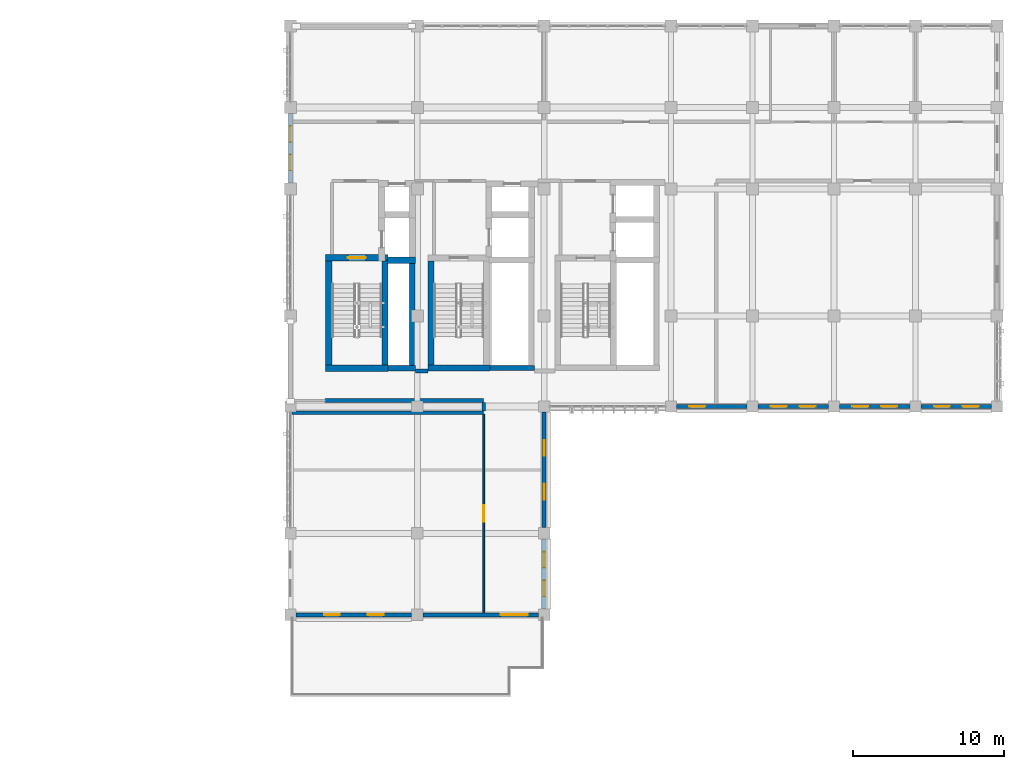
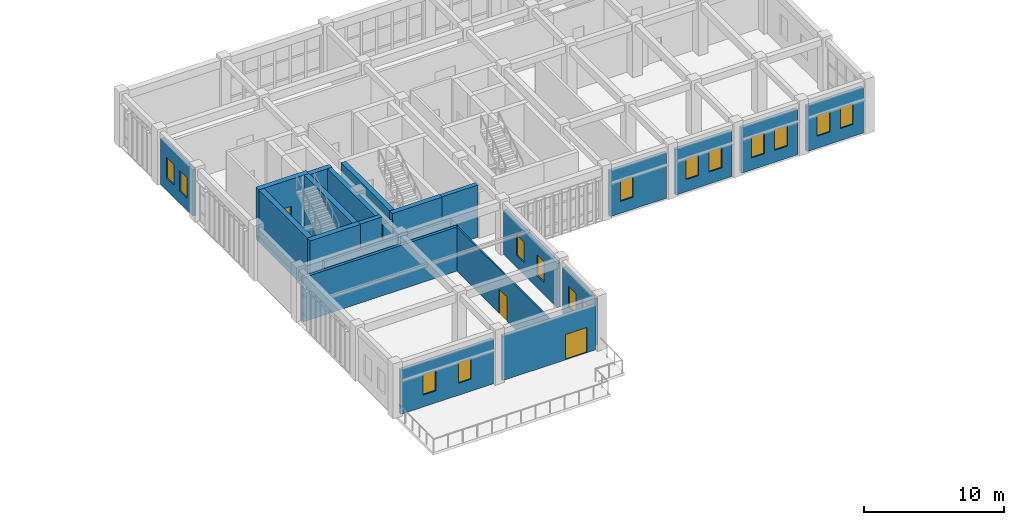
# One storey, part 71 of 76: 24 walls, 15 windows, 3 doors, 18 openings.
"""IFC4 building model written with IfcOpenShell, lengths in metres."""

import ifcopenshell
import ifcopenshell.guid

model = None  # the IFC model being written
_history = None  # IfcOwnerHistory: only IFC2X3 demands one
_inside = {}  # id of a spatial element -> (the spatial element, [elements in it])
_under = {}  # id of a project, library or spatial element -> (it, [spatial elements below it])
_declared = {}  # id of a project -> (the project, [libraries it declares])
_typed = {}  # id of a type object -> (the type object, [elements of that type])
_made_of = {}  # id of a material, layer set ... -> (it, [elements and type objects made of it])


def new_model(schema):
    """Start an empty IFC model of exactly this schema.

    Asked for "IFC4X3", IfcOpenShell would pick the latest addendum, in which some entities
    have other attributes; the version numbers below select the first issue.
    IFC2X3 requires an IfcOwnerHistory on every rooted entity: one is made here for all.
    """
    global model, _history
    if schema == "IFC4X3":
        model = ifcopenshell.file(schema_version=(4, 3, 0, 0))
    else:
        model = ifcopenshell.file(schema=schema)
    _inside.clear()
    _under.clear()
    _declared.clear()
    _typed.clear()
    _made_of.clear()
    _history = None
    if model.schema == "IFC2X3":
        org = make("IfcOrganization", Name="unknown")
        user = make(
            "IfcPersonAndOrganization",
            ThePerson=make("IfcPerson", FamilyName="unknown"),
            TheOrganization=org,
        )
        app = make(
            "IfcApplication",
            ApplicationDeveloper=org,
            Version="unknown",
            ApplicationFullName="unknown",
            ApplicationIdentifier="unknown",
        )
        _history = make(
            "IfcOwnerHistory",
            OwningUser=user,
            OwningApplication=app,
            ChangeAction="ADDED",
            CreationDate=0,
        )
    return model


def make(cls, **values):
    """One entity of the class cls with the attributes given. An attribute that is None is left unset."""
    return model.create_entity(
        cls, **{name: value for name, value in values.items() if value is not None}
    )


def rooted(cls, **values):
    """An entity with a GlobalId (a new one), such as an element, a storey or a relation."""
    return make(cls, GlobalId=ifcopenshell.guid.new(), OwnerHistory=_history, **values)


def si_unit(unit_type, name, prefix=None):
    """IfcSIUnit, for example si_unit("LENGTHUNIT", "METRE", prefix="MILLI")."""
    return make("IfcSIUnit", UnitType=unit_type, Prefix=prefix, Name=name)


def assignment(units):
    """IfcUnitAssignment: the units of a project."""
    return None if units is None else make("IfcUnitAssignment", Units=units)


def point(xyz):
    """IfcCartesianPoint."""
    return None if xyz is None else make("IfcCartesianPoint", Coordinates=xyz)


def direction(xyz):
    """IfcDirection."""
    return None if xyz is None else make("IfcDirection", DirectionRatios=xyz)


def frame(location, z_axis=None, x_axis=None):
    """IfcAxis2Placement3D, a coordinate frame: its origin and axes. An axis left out is left unset."""
    return make(
        "IfcAxis2Placement3D",
        Location=point(location),
        Axis=direction(z_axis),
        RefDirection=direction(x_axis),
    )


def frame_2d(location, x_axis=None):
    """IfcAxis2Placement2D, a coordinate frame in the plane: its origin and x axis."""
    return make(
        "IfcAxis2Placement2D", Location=point(location), RefDirection=direction(x_axis)
    )


def origin():
    """The frame at (0, 0, 0) with its axes left unset."""
    return frame((0.0, 0.0, 0.0))


def place(relative_to, where):
    """IfcLocalPlacement: puts the frame where relative to a parent placement (None: the world)."""
    return make(
        "IfcLocalPlacement", PlacementRelTo=relative_to, RelativePlacement=where
    )


def context(
    kind, dimensions, precision=None, world=None, true_north=None, identifier=None
):
    """IfcGeometricRepresentationContext, for example the 3D "Model" context."""
    return make(
        "IfcGeometricRepresentationContext",
        ContextIdentifier=identifier,
        ContextType=kind,
        CoordinateSpaceDimension=dimensions,
        Precision=precision,
        WorldCoordinateSystem=world,
        TrueNorth=true_north,
    )


def subcontext(parent, identifier, kind, view, scale=None):
    """IfcGeometricRepresentationSubContext, for example "Body" below "Model"."""
    return make(
        "IfcGeometricRepresentationSubContext",
        ContextIdentifier=identifier,
        ContextType=kind,
        ParentContext=parent,
        TargetScale=scale,
        TargetView=view,
    )


def project(units=None, contexts=None):
    """IfcProject with its units and contexts."""
    return rooted(
        "IfcProject",
        Name="project",
        RepresentationContexts=contexts,
        UnitsInContext=assignment(units),
    )


def spatial(cls, under=None, at=None, **own):
    """A site, building, storey or space (cls), placed at a placement, below another one or the project."""
    s = rooted(cls, ObjectPlacement=at, **own)
    if under is not None:
        _under.setdefault(under.id(), (under, []))[1].append(s)
    return s


def profile(cls, at=None, kind="AREA", **sizes):
    """A parametric profile (cls). Its sizes go by their IFC names, for example OverallWidth=200.0."""
    return make(cls, ProfileType=kind, Position=at, **sizes)


def rectangle(**sizes):
    """IfcRectangleProfileDef."""
    return profile("IfcRectangleProfileDef", **sizes)


def extrude(swept, where, along, depth):
    """IfcExtrudedAreaSolid: the profile swept, set in the frame where, extruded along a direction by depth."""
    return make(
        "IfcExtrudedAreaSolid",
        SweptArea=swept,
        Position=where,
        ExtrudedDirection=direction(along),
        Depth=depth,
    )


def shape(context_of_items, identifier, shape_type, items):
    """IfcShapeRepresentation: the items that make up one representation, for example the "Body"."""
    return make(
        "IfcShapeRepresentation",
        ContextOfItems=context_of_items,
        RepresentationIdentifier=identifier,
        RepresentationType=shape_type,
        Items=items,
    )


def material(Name=None, Category=None):
    """IfcMaterial."""
    return make("IfcMaterial", Name=Name, Category=Category)


def layer(
    of_material, thickness, ventilated=None, Name=None, Category=None, Priority=None
):
    """IfcMaterialLayer: one layer of a wall or slab, of a material (None: an air gap)."""
    return make(
        "IfcMaterialLayer",
        Material=of_material,
        LayerThickness=thickness,
        IsVentilated=ventilated,
        Name=Name,
        Category=Category,
        Priority=Priority,
    )


def layer_set(layers, Name=None):
    """IfcMaterialLayerSet."""
    return make("IfcMaterialLayerSet", MaterialLayers=layers, LayerSetName=Name)


def made_of(thing, what):
    """Note that an element or type object is made of a material, layer set ...; save() writes the relation."""
    if what is not None:
        _made_of.setdefault(what.id(), (what, []))[1].append(thing)
    return thing


def type_object(cls, material=None, **own):
    """A type object (cls), such as IfcWallType, which elements share."""
    return made_of(rooted(cls, **own), material)


def element(
    cls,
    number,
    at=None,
    inside=None,
    cuts=None,
    type_object=None,
    material=None,
    context=None,
    identifier="Body",
    shape_type=None,
    held_by="IfcProductDefinitionShape",
    body=None,
    shapes=None,
    **own,
):
    """One element of the class cls, such as IfcWall. Its Tag is "e" and its number.

    at: its placement. inside: the storey or other place that contains it. cuts: it is an
    opening in that element (IfcRelVoidsElement). A single representation is given by context,
    identifier, shape_type and body (its items); several are given by shapes. held_by: the class
    of the entity that holds the representations. save() writes the other relations.
    """
    e = rooted(cls, Tag="e%d" % number, ObjectPlacement=at, **own)
    if body is not None:
        shapes = [shape(context, identifier, shape_type, body)]
    if shapes is not None:
        e.Representation = make(held_by, Representations=shapes)
    if inside is not None:
        _inside.setdefault(inside.id(), (inside, []))[1].append(e)
    if cuts is not None:
        rooted(
            "IfcRelVoidsElement", RelatingBuildingElement=cuts, RelatedOpeningElement=e
        )
    if type_object is not None:
        _typed.setdefault(type_object.id(), (type_object, []))[1].append(e)
    return made_of(e, material)


def fill(opening, filler):
    """IfcRelFillsElement: the door or window that sits in an opening."""
    return rooted(
        "IfcRelFillsElement",
        RelatingOpeningElement=opening,
        RelatedBuildingElement=filler,
    )


def aggregate(whole, parts):
    """IfcRelAggregates: a whole, such as a stair, and the parts it consists of."""
    return rooted("IfcRelAggregates", RelatingObject=whole, RelatedObjects=parts)


def save(model, path):
    """Write the relations noted so far, then the file.

    IfcRelAggregates (storeys below a building ...), IfcRelContainedInSpatialStructure (elements
    in a storey), IfcRelDefinesByType, IfcRelAssociatesMaterial and IfcRelDeclares: one each for
    every whole, place, type object, material and project.
    """
    for whole, parts in _under.values():
        aggregate(whole, parts)
    for where, things in _inside.values():
        rooted(
            "IfcRelContainedInSpatialStructure",
            RelatedElements=things,
            RelatingStructure=where,
        )
    for kind, things in _typed.values():
        rooted("IfcRelDefinesByType", RelatedObjects=things, RelatingType=kind)
    for what, things in _made_of.values():
        rooted("IfcRelAssociatesMaterial", RelatedObjects=things, RelatingMaterial=what)
    for by, libraries in _declared.values():
        rooted("IfcRelDeclares", RelatingContext=by, RelatedDefinitions=libraries)
    model.write(path)


model = new_model("IFC4")

# Units and contexts
model_context = context("Model", 3, precision=1e-05, world=origin(), true_north=direction((0.0, 1.0)))
body_context = subcontext(model_context, "Body", "Model", "MODEL_VIEW")
ifc_project = project(units=[si_unit("LENGTHUNIT", "METRE"), si_unit("AREAUNIT", "SQUARE_METRE"), si_unit("VOLUMEUNIT", "CUBIC_METRE"), si_unit("PLANEANGLEUNIT", "RADIAN"), si_unit("MASSUNIT", "GRAM", prefix="KILO")], contexts=[model_context])

# Site, building, storey
site_placement = place(None, origin())
site = spatial("IfcSite", under=ifc_project, at=site_placement, CompositionType="ELEMENT")
building_placement = place(site_placement, origin())
building = spatial("IfcBuilding", under=site, at=building_placement, Name="Krzemoval Escarpment Law Courts", CompositionType="ELEMENT")
storey_placement = place(building_placement, frame((0.0, 0.0, 20.39990234375)))
storey = spatial("IfcBuildingStorey", under=building, at=storey_placement, Name="L04", CompositionType="ELEMENT", Elevation=20.39990234375)

# Wall, openings, windows
ifc_material_1 = material(Name="Precast concrete C40/50", Category="concrete")
ifc_layer_1 = layer(ifc_material_1, 0.260009765625)
ifc_layer_set_1 = layer_set([ifc_layer_1], Name="Precast concrete C40/50")
wall_type_1 = type_object("IfcWallType", Name="WL-EXT-260", PredefinedType="SOLIDWALL", material=ifc_layer_set_1)
wall_1_placement = place(storey_placement, frame((126.0, 108.39990234375, 0.0), z_axis=(0.0, 0.0, 1.0), x_axis=(0.0, 1.0, 0.0)))
wall_1 = element("IfcWall", 1, at=wall_1_placement, inside=storey, type_object=wall_type_1, Name="Exterior Wall EW-L04-0415", PredefinedType="SOLIDWALL", context=body_context, shape_type="SweptSolid", body=[
    extrude(rectangle(XDim=4.60009765625, YDim=0.260009765625, at=frame_2d((2.300048828125, 0.0))), origin(), (0.0, 0.0, 1.0), 4.0),
])
opening_1_placement = place(wall_1_placement, frame((0.8330078125, 0.0, 1.050048828125)))
opening_1 = element("IfcOpeningElement", 2, at=opening_1_placement, cuts=wall_1, Name="Opening WN-L04-0494", PredefinedType="OPENING", context=body_context, shape_type="SweptSolid", body=[
    extrude(rectangle(XDim=1.050048828125, YDim=1.800048828125, at=frame_2d((0.52490234375, 0.89990234375))), frame((0.0, 0.145, 0.0), z_axis=(0.0, -1.0, 0.0), x_axis=(1.0, 0.0, 0.0)), (0.0, 0.0, 1.0), 0.29001),
])
opening_2_placement = place(wall_1_placement, frame((2.717041015625, 0.0, 1.050048828125)))
opening_2 = element("IfcOpeningElement", 3, at=opening_2_placement, cuts=wall_1, Name="Opening WN-L04-0495", PredefinedType="OPENING", context=body_context, shape_type="SweptSolid", body=[
    extrude(rectangle(XDim=1.050048828125, YDim=1.800048828125, at=frame_2d((0.52490234375, 0.89990234375))), frame((0.0, 0.145, 0.0), z_axis=(0.0, -1.0, 0.0), x_axis=(1.0, 0.0, 0.0)), (0.0, 0.0, 1.0), 0.29001),
])
ifc_material_2 = material(Name="Thermally Broken Aluminium Frame with Triple Low-E Acoustic Glass", Category="aluminium")
window_type = type_object("IfcWindowType", Name="WN-1050x1800", PartitioningType="SINGLE_PANEL", PredefinedType="WINDOW", material=ifc_material_2)
window_1_placement = place(opening_1_placement, origin())
window_1 = element("IfcWindow", 4, at=window_1_placement, inside=storey, type_object=window_type, Name="Facade Window WN-L04-0494", OverallHeight=1.800048828125, OverallWidth=1.050048828125, PartitioningType="SINGLE_PANEL", PredefinedType="WINDOW", context=body_context, shape_type="SweptSolid", body=[
    extrude(rectangle(XDim=1.050048828125, YDim=1.800048828125, at=frame_2d((0.52490234375, 0.89990234375))), frame((0.0, 0.030029296875, 0.0), z_axis=(0.0, -1.0, 0.0), x_axis=(1.0, 0.0, 0.0)), (0.0, 0.0, 1.0), 0.06005859375),
])
fill(opening_1, window_1)
window_2_placement = place(opening_2_placement, origin())
window_2 = element("IfcWindow", 5, at=window_2_placement, inside=storey, type_object=window_type, Name="Facade Window WN-L04-0495", OverallHeight=1.800048828125, OverallWidth=1.050048828125, PartitioningType="SINGLE_PANEL", PredefinedType="WINDOW", context=body_context, shape_type="SweptSolid", body=[
    extrude(rectangle(XDim=1.050048828125, YDim=1.800048828125, at=frame_2d((0.52490234375, 0.89990234375))), frame((0.0, 0.030029296875, 0.0), z_axis=(0.0, -1.0, 0.0), x_axis=(1.0, 0.0, 0.0)), (0.0, 0.0, 1.0), 0.06005859375),
])
fill(opening_2, window_2)

wall_2_placement = place(storey_placement, frame((172.425048828125, 93.60009765625, 0.0), z_axis=(0.0, 0.0, 1.0), x_axis=(-1.0, 0.0, 0.0)))
wall_2 = element("IfcWall", 6, at=wall_2_placement, inside=storey, type_object=wall_type_1, Name="Exterior Wall EW-L04-0421", PredefinedType="SOLIDWALL", context=body_context, shape_type="SweptSolid", body=[
    extrude(rectangle(XDim=4.650146484375, YDim=0.260009765625, at=frame_2d((2.3251953125, 0.0))), origin(), (0.0, 0.0, 1.0), 3.9501953125),
])
opening_3_placement = place(wall_2_placement, frame((0.85009765625, 0.0, 1.050048828125)))
opening_3 = element("IfcOpeningElement", 7, at=opening_3_placement, cuts=wall_2, Name="Opening WN-L04-0503", PredefinedType="OPENING", context=body_context, shape_type="SweptSolid", body=[
    extrude(rectangle(XDim=1.050048828125, YDim=1.800048828125, at=frame_2d((0.52490234375, 0.89990234375))), frame((0.0, 0.145, 0.0), z_axis=(0.0, -1.0, 0.0), x_axis=(1.0, 0.0, 0.0)), (0.0, 0.0, 1.0), 0.29001),
])
opening_4_placement = place(wall_2_placement, frame((2.75, 0.0, 1.050048828125)))
opening_4 = element("IfcOpeningElement", 8, at=opening_4_placement, cuts=wall_2, Name="Opening WN-L04-0504", PredefinedType="OPENING", context=body_context, shape_type="SweptSolid", body=[
    extrude(rectangle(XDim=1.050048828125, YDim=1.800048828125, at=frame_2d((0.52490234375, 0.89990234375))), frame((0.0, 0.145, 0.0), z_axis=(0.0, -1.0, 0.0), x_axis=(1.0, 0.0, 0.0)), (0.0, 0.0, 1.0), 0.29001),
])
window_3_placement = place(opening_3_placement, origin())
window_3 = element("IfcWindow", 9, at=window_3_placement, inside=storey, type_object=window_type, Name="Facade Window WN-L04-0503", OverallHeight=1.800048828125, OverallWidth=1.050048828125, PartitioningType="SINGLE_PANEL", PredefinedType="WINDOW", context=body_context, shape_type="SweptSolid", body=[
    extrude(rectangle(XDim=1.050048828125, YDim=1.800048828125, at=frame_2d((0.52490234375, 0.89990234375))), frame((0.0, 0.030029296875, 0.0), z_axis=(0.0, -1.0, 0.0), x_axis=(1.0, 0.0, 0.0)), (0.0, 0.0, 1.0), 0.06005859375),
])
fill(opening_3, window_3)
window_4_placement = place(opening_4_placement, origin())
window_4 = element("IfcWindow", 10, at=window_4_placement, inside=storey, type_object=window_type, Name="Facade Window WN-L04-0504", OverallHeight=1.800048828125, OverallWidth=1.050048828125, PartitioningType="SINGLE_PANEL", PredefinedType="WINDOW", context=body_context, shape_type="SweptSolid", body=[
    extrude(rectangle(XDim=1.050048828125, YDim=1.800048828125, at=frame_2d((0.52490234375, 0.89990234375))), frame((0.0, 0.030029296875, 0.0), z_axis=(0.0, -1.0, 0.0), x_axis=(1.0, 0.0, 0.0)), (0.0, 0.0, 1.0), 0.06005859375),
])
fill(opening_4, window_4)

wall_3_placement = place(storey_placement, frame((167.02490234375, 93.60009765625, 0.0), z_axis=(0.0, 0.0, 1.0), x_axis=(-1.0, 0.0, 0.0)))
wall_3 = element("IfcWall", 11, at=wall_3_placement, inside=storey, type_object=wall_type_1, Name="Exterior Wall EW-L04-0422", PredefinedType="SOLIDWALL", context=body_context, shape_type="SweptSolid", body=[
    extrude(rectangle(XDim=4.64990234375, YDim=0.260009765625, at=frame_2d((2.324951171875, 0.0))), origin(), (0.0, 0.0, 1.0), 3.9501953125),
])
opening_5_placement = place(wall_3_placement, frame((0.85009765625, 0.0, 1.050048828125)))
opening_5 = element("IfcOpeningElement", 12, at=opening_5_placement, cuts=wall_3, Name="Opening WN-L04-0505", PredefinedType="OPENING", context=body_context, shape_type="SweptSolid", body=[
    extrude(rectangle(XDim=1.050048828125, YDim=1.800048828125, at=frame_2d((0.52490234375, 0.89990234375))), frame((0.0, 0.145, 0.0), z_axis=(0.0, -1.0, 0.0), x_axis=(1.0, 0.0, 0.0)), (0.0, 0.0, 1.0), 0.29001),
])
opening_6_placement = place(wall_3_placement, frame((2.75, 0.0, 1.050048828125)))
opening_6 = element("IfcOpeningElement", 13, at=opening_6_placement, cuts=wall_3, Name="Opening WN-L04-0506", PredefinedType="OPENING", context=body_context, shape_type="SweptSolid", body=[
    extrude(rectangle(XDim=1.050048828125, YDim=1.800048828125, at=frame_2d((0.52490234375, 0.89990234375))), frame((0.0, 0.145, 0.0), z_axis=(0.0, -1.0, 0.0), x_axis=(1.0, 0.0, 0.0)), (0.0, 0.0, 1.0), 0.29001),
])
window_5_placement = place(opening_5_placement, origin())
window_5 = element("IfcWindow", 14, at=window_5_placement, inside=storey, type_object=window_type, Name="Facade Window WN-L04-0505", OverallHeight=1.800048828125, OverallWidth=1.050048828125, PartitioningType="SINGLE_PANEL", PredefinedType="WINDOW", context=body_context, shape_type="SweptSolid", body=[
    extrude(rectangle(XDim=1.050048828125, YDim=1.800048828125, at=frame_2d((0.52490234375, 0.89990234375))), frame((0.0, 0.030029296875, 0.0), z_axis=(0.0, -1.0, 0.0), x_axis=(1.0, 0.0, 0.0)), (0.0, 0.0, 1.0), 0.06005859375),
])
fill(opening_5, window_5)
window_6_placement = place(opening_6_placement, origin())
window_6 = element("IfcWindow", 15, at=window_6_placement, inside=storey, type_object=window_type, Name="Facade Window WN-L04-0506", OverallHeight=1.800048828125, OverallWidth=1.050048828125, PartitioningType="SINGLE_PANEL", PredefinedType="WINDOW", context=body_context, shape_type="SweptSolid", body=[
    extrude(rectangle(XDim=1.050048828125, YDim=1.800048828125, at=frame_2d((0.52490234375, 0.89990234375))), frame((0.0, 0.030029296875, 0.0), z_axis=(0.0, -1.0, 0.0), x_axis=(1.0, 0.0, 0.0)), (0.0, 0.0, 1.0), 0.06005859375),
])
fill(opening_6, window_6)

wall_4_placement = place(storey_placement, frame((161.625, 93.60009765625, 0.0), z_axis=(0.0, 0.0, 1.0), x_axis=(-1.0, 0.0, 0.0)))
wall_4 = element("IfcWall", 16, at=wall_4_placement, inside=storey, type_object=wall_type_1, Name="Exterior Wall EW-L04-0423", PredefinedType="SOLIDWALL", context=body_context, shape_type="SweptSolid", body=[
    extrude(rectangle(XDim=4.64990234375, YDim=0.260009765625, at=frame_2d((2.324951171875, 0.0))), origin(), (0.0, 0.0, 1.0), 3.9501953125),
])
opening_7_placement = place(wall_4_placement, frame((0.85009765625, 0.0, 1.050048828125)))
opening_7 = element("IfcOpeningElement", 17, at=opening_7_placement, cuts=wall_4, Name="Opening WN-L04-0507", PredefinedType="OPENING", context=body_context, shape_type="SweptSolid", body=[
    extrude(rectangle(XDim=1.050048828125, YDim=1.800048828125, at=frame_2d((0.52490234375, 0.89990234375))), frame((0.0, 0.145, 0.0), z_axis=(0.0, -1.0, 0.0), x_axis=(1.0, 0.0, 0.0)), (0.0, 0.0, 1.0), 0.29001),
])
opening_8_placement = place(wall_4_placement, frame((2.75, 0.0, 1.050048828125)))
opening_8 = element("IfcOpeningElement", 18, at=opening_8_placement, cuts=wall_4, Name="Opening WN-L04-0508", PredefinedType="OPENING", context=body_context, shape_type="SweptSolid", body=[
    extrude(rectangle(XDim=1.050048828125, YDim=1.800048828125, at=frame_2d((0.52490234375, 0.89990234375))), frame((0.0, 0.145, 0.0), z_axis=(0.0, -1.0, 0.0), x_axis=(1.0, 0.0, 0.0)), (0.0, 0.0, 1.0), 0.29001),
])
window_7_placement = place(opening_7_placement, origin())
window_7 = element("IfcWindow", 19, at=window_7_placement, inside=storey, type_object=window_type, Name="Facade Window WN-L04-0507", OverallHeight=1.800048828125, OverallWidth=1.050048828125, PartitioningType="SINGLE_PANEL", PredefinedType="WINDOW", context=body_context, shape_type="SweptSolid", body=[
    extrude(rectangle(XDim=1.050048828125, YDim=1.800048828125, at=frame_2d((0.52490234375, 0.89990234375))), frame((0.0, 0.030029296875, 0.0), z_axis=(0.0, -1.0, 0.0), x_axis=(1.0, 0.0, 0.0)), (0.0, 0.0, 1.0), 0.06005859375),
])
fill(opening_7, window_7)
window_8_placement = place(opening_8_placement, origin())
window_8 = element("IfcWindow", 20, at=window_8_placement, inside=storey, type_object=window_type, Name="Facade Window WN-L04-0508", OverallHeight=1.800048828125, OverallWidth=1.050048828125, PartitioningType="SINGLE_PANEL", PredefinedType="WINDOW", context=body_context, shape_type="SweptSolid", body=[
    extrude(rectangle(XDim=1.050048828125, YDim=1.800048828125, at=frame_2d((0.52490234375, 0.89990234375))), frame((0.0, 0.030029296875, 0.0), z_axis=(0.0, -1.0, 0.0), x_axis=(1.0, 0.0, 0.0)), (0.0, 0.0, 1.0), 0.06005859375),
])
fill(opening_8, window_8)

# Wall, opening, window
wall_5_placement = place(storey_placement, frame((156.22509765625, 93.60009765625, 0.0), z_axis=(0.0, 0.0, 1.0), x_axis=(-1.0, 0.0, 0.0)))
wall_5 = element("IfcWall", 21, at=wall_5_placement, inside=storey, type_object=wall_type_1, Name="Exterior Wall EW-L04-0424", PredefinedType="SOLIDWALL", context=body_context, shape_type="SweptSolid", body=[
    extrude(rectangle(XDim=4.650146484375, YDim=0.260009765625, at=frame_2d((2.3251953125, 0.0))), origin(), (0.0, 0.0, 1.0), 3.9501953125),
])
opening_9_placement = place(wall_5_placement, frame((2.75, 0.0, 1.050048828125)))
opening_9 = element("IfcOpeningElement", 22, at=opening_9_placement, cuts=wall_5, Name="Opening WN-L04-0509", PredefinedType="OPENING", context=body_context, shape_type="SweptSolid", body=[
    extrude(rectangle(XDim=1.050048828125, YDim=1.800048828125, at=frame_2d((0.52490234375, 0.89990234375))), frame((0.0, 0.145, 0.0), z_axis=(0.0, -1.0, 0.0), x_axis=(1.0, 0.0, 0.0)), (0.0, 0.0, 1.0), 0.29001),
])
window_9_placement = place(opening_9_placement, origin())
window_9 = element("IfcWindow", 23, at=window_9_placement, inside=storey, type_object=window_type, Name="Facade Window WN-L04-0509", OverallHeight=1.800048828125, OverallWidth=1.050048828125, PartitioningType="SINGLE_PANEL", PredefinedType="WINDOW", context=body_context, shape_type="SweptSolid", body=[
    extrude(rectangle(XDim=1.050048828125, YDim=1.800048828125, at=frame_2d((0.52490234375, 0.89990234375))), frame((0.0, 0.030029296875, 0.0), z_axis=(0.0, -1.0, 0.0), x_axis=(1.0, 0.0, 0.0)), (0.0, 0.0, 1.0), 0.06005859375),
])
fill(opening_9, window_9)

# Wall, openings, windows
wall_6_placement = place(storey_placement, frame((142.800048828125, 93.22509765625, 0.0), z_axis=(0.0, 0.0, 1.0), x_axis=(0.0, -1.0, 0.0)))
wall_6 = element("IfcWall", 24, at=wall_6_placement, inside=storey, type_object=wall_type_1, Name="Exterior Wall EW-L04-0425", PredefinedType="SOLIDWALL", context=body_context, shape_type="SweptSolid", body=[
    extrude(rectangle(XDim=7.650146484375, YDim=0.260009765625, at=frame_2d((3.8251953125, 0.0))), origin(), (0.0, 0.0, 1.0), 3.85009765625),
])
opening_10_placement = place(wall_6_placement, frame((1.85009765625, 0.0, 1.050048828125)))
opening_10 = element("IfcOpeningElement", 25, at=opening_10_placement, cuts=wall_6, Name="Opening WN-L04-0510", PredefinedType="OPENING", context=body_context, shape_type="SweptSolid", body=[
    extrude(rectangle(XDim=1.050048828125, YDim=1.800048828125, at=frame_2d((0.52490234375, 0.89990234375))), frame((0.0, 0.145, 0.0), z_axis=(0.0, -1.0, 0.0), x_axis=(1.0, 0.0, 0.0)), (0.0, 0.0, 1.0), 0.29001),
])
opening_11_placement = place(wall_6_placement, frame((4.75, 0.0, 1.050048828125)))
opening_11 = element("IfcOpeningElement", 26, at=opening_11_placement, cuts=wall_6, Name="Opening WN-L04-0511", PredefinedType="OPENING", context=body_context, shape_type="SweptSolid", body=[
    extrude(rectangle(XDim=1.050048828125, YDim=1.800048828125, at=frame_2d((0.52490234375, 0.89990234375))), frame((0.0, 0.145, 0.0), z_axis=(0.0, -1.0, 0.0), x_axis=(1.0, 0.0, 0.0)), (0.0, 0.0, 1.0), 0.29001),
])
window_10_placement = place(opening_10_placement, origin())
window_10 = element("IfcWindow", 27, at=window_10_placement, inside=storey, type_object=window_type, Name="Facade Window WN-L04-0510", OverallHeight=1.800048828125, OverallWidth=1.050048828125, PartitioningType="SINGLE_PANEL", PredefinedType="WINDOW", context=body_context, shape_type="SweptSolid", body=[
    extrude(rectangle(XDim=1.050048828125, YDim=1.800048828125, at=frame_2d((0.52490234375, 0.89990234375))), frame((0.0, 0.030029296875, 0.0), z_axis=(0.0, -1.0, 0.0), x_axis=(1.0, 0.0, 0.0)), (0.0, 0.0, 1.0), 0.06005859375),
])
fill(opening_10, window_10)
window_11_placement = place(opening_11_placement, origin())
window_11 = element("IfcWindow", 28, at=window_11_placement, inside=storey, type_object=window_type, Name="Facade Window WN-L04-0511", OverallHeight=1.800048828125, OverallWidth=1.050048828125, PartitioningType="SINGLE_PANEL", PredefinedType="WINDOW", context=body_context, shape_type="SweptSolid", body=[
    extrude(rectangle(XDim=1.050048828125, YDim=1.800048828125, at=frame_2d((0.52490234375, 0.89990234375))), frame((0.0, 0.030029296875, 0.0), z_axis=(0.0, -1.0, 0.0), x_axis=(1.0, 0.0, 0.0)), (0.0, 0.0, 1.0), 0.06005859375),
])
fill(opening_11, window_11)

wall_7_placement = place(storey_placement, frame((142.800048828125, 84.824951171875, 0.0), z_axis=(0.0, 0.0, 1.0), x_axis=(0.0, -1.0, 0.0)))
wall_7 = element("IfcWall", 29, at=wall_7_placement, inside=storey, type_object=wall_type_1, Name="Exterior Wall EW-L04-0426", PredefinedType="SOLIDWALL", context=body_context, shape_type="SweptSolid", body=[
    extrude(rectangle(XDim=4.64990234375, YDim=0.260009765625, at=frame_2d((2.324951171875, 0.0))), origin(), (0.0, 0.0, 1.0), 4.0),
])
opening_12_placement = place(wall_7_placement, frame((0.85009765625, 0.0, 1.050048828125)))
opening_12 = element("IfcOpeningElement", 30, at=opening_12_placement, cuts=wall_7, Name="Opening WN-L04-0512", PredefinedType="OPENING", context=body_context, shape_type="SweptSolid", body=[
    extrude(rectangle(XDim=1.050048828125, YDim=1.800048828125, at=frame_2d((0.52490234375, 0.89990234375))), frame((0.0, 0.145, 0.0), z_axis=(0.0, -1.0, 0.0), x_axis=(1.0, 0.0, 0.0)), (0.0, 0.0, 1.0), 0.29001),
])
opening_13_placement = place(wall_7_placement, frame((2.75, 0.0, 1.050048828125)))
opening_13 = element("IfcOpeningElement", 31, at=opening_13_placement, cuts=wall_7, Name="Opening WN-L04-0513", PredefinedType="OPENING", context=body_context, shape_type="SweptSolid", body=[
    extrude(rectangle(XDim=1.050048828125, YDim=1.800048828125, at=frame_2d((0.52490234375, 0.89990234375))), frame((0.0, 0.145, 0.0), z_axis=(0.0, -1.0, 0.0), x_axis=(1.0, 0.0, 0.0)), (0.0, 0.0, 1.0), 0.29001),
])
window_12_placement = place(opening_12_placement, origin())
window_12 = element("IfcWindow", 32, at=window_12_placement, inside=storey, type_object=window_type, Name="Facade Window WN-L04-0512", OverallHeight=1.800048828125, OverallWidth=1.050048828125, PartitioningType="SINGLE_PANEL", PredefinedType="WINDOW", context=body_context, shape_type="SweptSolid", body=[
    extrude(rectangle(XDim=1.050048828125, YDim=1.800048828125, at=frame_2d((0.52490234375, 0.89990234375))), frame((0.0, 0.030029296875, 0.0), z_axis=(0.0, -1.0, 0.0), x_axis=(1.0, 0.0, 0.0)), (0.0, 0.0, 1.0), 0.06005859375),
])
fill(opening_12, window_12)
window_13_placement = place(opening_13_placement, origin())
window_13 = element("IfcWindow", 33, at=window_13_placement, inside=storey, type_object=window_type, Name="Facade Window WN-L04-0513", OverallHeight=1.800048828125, OverallWidth=1.050048828125, PartitioningType="SINGLE_PANEL", PredefinedType="WINDOW", context=body_context, shape_type="SweptSolid", body=[
    extrude(rectangle(XDim=1.050048828125, YDim=1.800048828125, at=frame_2d((0.52490234375, 0.89990234375))), frame((0.0, 0.030029296875, 0.0), z_axis=(0.0, -1.0, 0.0), x_axis=(1.0, 0.0, 0.0)), (0.0, 0.0, 1.0), 0.06005859375),
])
fill(opening_13, window_13)

# Wall, opening, door
wall_8_placement = place(storey_placement, frame((142.425048828125, 79.800048828125, 0.0), z_axis=(0.0, 0.0, 1.0), x_axis=(-1.0, 0.0, 0.0)))
wall_8 = element("IfcWall", 34, at=wall_8_placement, inside=storey, type_object=wall_type_1, Name="Exterior Wall EW-L04-0427", PredefinedType="SOLIDWALL", context=body_context, shape_type="SweptSolid", body=[
    extrude(rectangle(XDim=7.650146484375, YDim=0.260009765625, at=frame_2d((3.8251953125, 0.0))), origin(), (0.0, 0.0, 1.0), 3.85009765625),
])
opening_14_placement = place(wall_8_placement, frame((0.699951171875, 0.0, 0.0)))
opening_14 = element("IfcOpeningElement", 35, at=opening_14_placement, cuts=wall_8, Name="Opening TD-L04-22", PredefinedType="OPENING", context=body_context, shape_type="SweptSolid", body=[
    extrude(rectangle(XDim=1.800048828125, YDim=2.199951171875, at=frame_2d((0.89990234375, 1.10009765625))), frame((0.0, 0.145, 0.0), z_axis=(0.0, -1.0, 0.0), x_axis=(1.0, 0.0, 0.0)), (0.0, 0.0, 1.0), 0.29001),
])
ifc_material_3 = material(Name="Thermally Broken Aluminium and Laminated Safety Glass", Category="aluminium")
door_type_1 = type_object("IfcDoorType", Name="DR-TER-1800x2200", OperationType="SINGLE_SWING_LEFT", PredefinedType="DOOR", material=ifc_material_3)
door_1_placement = place(opening_14_placement, origin())
door_1 = element("IfcDoor", 36, at=door_1_placement, inside=storey, type_object=door_type_1, Name="Terrace Access Door TD-L04-22", OperationType="DOUBLE_DOOR_SINGLE_SWING", OverallHeight=2.199951171875, OverallWidth=1.800048828125, PredefinedType="DOOR", context=body_context, shape_type="SweptSolid", body=[
    extrude(rectangle(XDim=1.800048828125, YDim=2.199951171875, at=frame_2d((0.89990234375, 1.10009765625))), frame((0.0, 0.02490234375, 0.0), z_axis=(0.0, -1.0, 0.0), x_axis=(1.0, 0.0, 0.0)), (0.0, 0.0, 1.0), 0.050048828125),
])
fill(opening_14, door_1)

# Wall, openings, windows
wall_9_placement = place(storey_placement, frame((134.02490234375, 79.800048828125, 0.0), z_axis=(0.0, 0.0, 1.0), x_axis=(-1.0, 0.0, 0.0)))
wall_9 = element("IfcWall", 37, at=wall_9_placement, inside=storey, type_object=wall_type_1, Name="Exterior Wall EW-L04-0428", PredefinedType="SOLIDWALL", context=body_context, shape_type="SweptSolid", body=[
    extrude(rectangle(XDim=7.64990234375, YDim=0.260009765625, at=frame_2d((3.824951171875, 0.0))), origin(), (0.0, 0.0, 1.0), 3.85009765625),
])
opening_15_placement = place(wall_9_placement, frame((1.85009765625, 0.0, 1.050048828125)))
opening_15 = element("IfcOpeningElement", 38, at=opening_15_placement, cuts=wall_9, Name="Opening WN-L04-0514", PredefinedType="OPENING", context=body_context, shape_type="SweptSolid", body=[
    extrude(rectangle(XDim=1.050048828125, YDim=1.800048828125, at=frame_2d((0.52490234375, 0.89990234375))), frame((0.0, 0.145, 0.0), z_axis=(0.0, -1.0, 0.0), x_axis=(1.0, 0.0, 0.0)), (0.0, 0.0, 1.0), 0.29001),
])
opening_16_placement = place(wall_9_placement, frame((4.75, 0.0, 1.050048828125)))
opening_16 = element("IfcOpeningElement", 39, at=opening_16_placement, cuts=wall_9, Name="Opening WN-L04-0515", PredefinedType="OPENING", context=body_context, shape_type="SweptSolid", body=[
    extrude(rectangle(XDim=1.050048828125, YDim=1.800048828125, at=frame_2d((0.52490234375, 0.89990234375))), frame((0.0, 0.145, 0.0), z_axis=(0.0, -1.0, 0.0), x_axis=(1.0, 0.0, 0.0)), (0.0, 0.0, 1.0), 0.29001),
])
window_14_placement = place(opening_15_placement, origin())
window_14 = element("IfcWindow", 40, at=window_14_placement, inside=storey, type_object=window_type, Name="Facade Window WN-L04-0514", OverallHeight=1.800048828125, OverallWidth=1.050048828125, PartitioningType="SINGLE_PANEL", PredefinedType="WINDOW", context=body_context, shape_type="SweptSolid", body=[
    extrude(rectangle(XDim=1.050048828125, YDim=1.800048828125, at=frame_2d((0.52490234375, 0.89990234375))), frame((0.0, 0.030029296875, 0.0), z_axis=(0.0, -1.0, 0.0), x_axis=(1.0, 0.0, 0.0)), (0.0, 0.0, 1.0), 0.06005859375),
])
fill(opening_15, window_14)
window_15_placement = place(opening_16_placement, origin())
window_15 = element("IfcWindow", 41, at=window_15_placement, inside=storey, type_object=window_type, Name="Facade Window WN-L04-0515", OverallHeight=1.800048828125, OverallWidth=1.050048828125, PartitioningType="SINGLE_PANEL", PredefinedType="WINDOW", context=body_context, shape_type="SweptSolid", body=[
    extrude(rectangle(XDim=1.050048828125, YDim=1.800048828125, at=frame_2d((0.52490234375, 0.89990234375))), frame((0.0, 0.030029296875, 0.0), z_axis=(0.0, -1.0, 0.0), x_axis=(1.0, 0.0, 0.0)), (0.0, 0.0, 1.0), 0.06005859375),
])
fill(opening_16, window_15)

# Wall, opening, door
ifc_material_4 = material(Name="Light Internal Subdivision Partition", Category="gypsum")
ifc_layer_2 = layer(ifc_material_4, 0.114990234375)
ifc_layer_set_2 = layer_set([ifc_layer_2], Name="Light Internal Subdivision Partition")
wall_type_2 = type_object("IfcWallType", Name="WL-PRT-115", PredefinedType="PARTITIONING", material=ifc_layer_set_2)
wall_10_placement = place(storey_placement, frame((138.800048828125, 79.931884765625, 0.0), z_axis=(0.0, 0.0, 1.0), x_axis=(0.0, 1.0, 0.0)))
wall_10 = element("IfcWall", 42, at=wall_10_placement, inside=storey, type_object=wall_type_2, Name="Interior Partition PW-L04-0631", PredefinedType="PARTITIONING", context=body_context, shape_type="SweptSolid", body=[
    extrude(rectangle(XDim=13.151123046875, YDim=0.114990234375, at=frame_2d((6.57568359375, 0.0))), origin(), (0.0, 0.0, 1.0), 3.85009765625),
])
opening_17_placement = place(wall_10_placement, frame((6.02490234375, 0.0, 0.0)))
opening_17 = element("IfcOpeningElement", 43, at=opening_17_placement, cuts=wall_10, Name="Opening D-L04-0211", PredefinedType="OPENING", context=body_context, shape_type="SweptSolid", body=[
    extrude(rectangle(XDim=1.10009765625, YDim=2.10009765625, at=frame_2d((0.550048828125, 1.050048828125))), frame((0.0, 0.0725, 0.0), z_axis=(0.0, -1.0, 0.0), x_axis=(1.0, 0.0, 0.0)), (0.0, 0.0, 1.0), 0.14499),
])
ifc_material_5 = material(Name="Engineered Solid-Core Oak Acoustic Timber", Category="wood")
door_type_2 = type_object("IfcDoorType", Name="DR-INT-1100x2100", OperationType="SINGLE_SWING_LEFT", PredefinedType="DOOR", material=ifc_material_5)
door_2_placement = place(opening_17_placement, origin())
door_2 = element("IfcDoor", 44, at=door_2_placement, inside=storey, type_object=door_type_2, Name="Room Door D-L04-0211", OperationType="SINGLE_SWING_LEFT", OverallHeight=2.10009765625, OverallWidth=1.10009765625, PredefinedType="DOOR", context=body_context, shape_type="SweptSolid", body=[
    extrude(rectangle(XDim=1.10009765625, YDim=2.10009765625, at=frame_2d((0.550048828125, 1.050048828125))), frame((0.0, 0.02490234375, 0.0), z_axis=(0.0, -1.0, 0.0), x_axis=(1.0, 0.0, 0.0)), (0.0, 0.0, 1.0), 0.050048828125),
])
fill(opening_17, door_2)

# Walls
ifc_material_6 = material(Name="Acoustic Calcium-Silicate Block Wall", Category="masonry")
ifc_layer_3 = layer(ifc_material_6, 0.22998046875)
ifc_layer_set_3 = layer_set([ifc_layer_3], Name="Acoustic Calcium-Silicate Block Wall")
wall_type_3 = type_object("IfcWallType", Name="WL-PRT-230", PredefinedType="SOLIDWALL", material=ifc_layer_set_3)
wall_11_placement = place(storey_placement, frame((126.10498046875, 93.199951171875, 0.0), z_axis=(0.0, 0.0, 1.0), x_axis=(1.0, 0.0, 0.0)))
element("IfcWall", 45, at=wall_11_placement, inside=storey, type_object=wall_type_3, Name="Interior Partition PW-L04-0599", PredefinedType="SOLIDWALL", context=body_context, shape_type="SweptSolid", body=[
    extrude(rectangle(XDim=12.695068359375, YDim=0.22998046875, at=frame_2d((6.34765625, 0.0))), origin(), (0.0, 0.0, 1.0), 3.85009765625),
])
ifc_material_7 = material(Name="Acoustic Courtroom Partition Assembly", Category="gypsum")
ifc_layer_4 = layer(ifc_material_7, 0.239990234375)
ifc_layer_set_4 = layer_set([ifc_layer_4], Name="Acoustic Courtroom Partition Assembly")
wall_type_4 = type_object("IfcWallType", Name="WL-PRT-240", PredefinedType="PARTITIONING", material=ifc_layer_set_4)
wall_12_placement = place(storey_placement, frame((134.27001953125, 95.949951171875, 0.0), z_axis=(0.0, 0.0, 1.0), x_axis=(1.0, 0.0, 0.0)))
element("IfcWall", 46, at=wall_12_placement, inside=storey, type_object=wall_type_4, Name="Interior Partition PW-L04-0602", PredefinedType="PARTITIONING", context=body_context, shape_type="SweptSolid", body=[
    extrude(rectangle(XDim=0.830078125, YDim=0.239990234375, at=frame_2d((0.4150390625, 0.0))), origin(), (0.0, 0.0, 1.0), 4.0),
])
ifc_material_8 = material(Name="Acoustic Double-Stud Gypsum and Mineral Wool Wall", Category="gypsum")
ifc_layer_5 = layer(ifc_material_8, 0.260009765625)
ifc_layer_set_5 = layer_set([ifc_layer_5], Name="Acoustic Double-Stud Gypsum and Mineral Wool Wall")
wall_type_5 = type_object("IfcWallType", Name="WL-PRT-260", PredefinedType="PARTITIONING", material=ifc_layer_set_5)
wall_13_placement = place(storey_placement, frame((128.300048828125, 94.0, 0.0), z_axis=(0.0, 0.0, 1.0), x_axis=(1.0, 0.0, 0.0)))
element("IfcWall", 47, at=wall_13_placement, inside=storey, type_object=wall_type_5, Name="Interior Partition PW-L04-0601", PredefinedType="PARTITIONING", context=body_context, shape_type="SweptSolid", body=[
    extrude(rectangle(XDim=10.5, YDim=0.260009765625, at=frame_2d((5.25, 0.0))), origin(), (0.0, 0.0, 1.0), 4.0),
])
wall_14_placement = place(storey_placement, frame((138.800048828125, 93.31689453125, 0.0), z_axis=(0.0, 0.0, 1.0), x_axis=(0.0, 1.0, 0.0)))
element("IfcWall", 48, at=wall_14_placement, inside=storey, type_object=wall_type_5, Name="Interior Partition PW-L04-0632", PredefinedType="PARTITIONING", context=body_context, shape_type="SweptSolid", body=[
    extrude(rectangle(XDim=0.551025390625, YDim=0.260009765625, at=frame_2d((0.275390625, 0.0))), origin(), (0.0, 0.0, 1.0), 3.85009765625),
])
ifc_material_9 = material(Name="Concrete C40/50", Category="concrete")
ifc_layer_6 = layer(ifc_material_9, 0.35009765625)
ifc_layer_set_6 = layer_set([ifc_layer_6], Name="Concrete C40/50")
wall_type_6 = type_object("IfcWallType", Name="WL-SHW-350", PredefinedType="SHEAR", material=ifc_layer_set_6)
wall_15_placement = place(storey_placement, frame((132.469970703125, 96.139892578125, 0.0), z_axis=(0.0, 0.0, 1.0), x_axis=(1.0, 0.0, 0.0)))
element("IfcWall", 49, at=wall_15_placement, inside=storey, type_object=wall_type_6, Name="Riser Shaft Wall SW-L04-0077", PredefinedType="SHEAR", context=body_context, shape_type="SweptSolid", body=[
    extrude(rectangle(XDim=1.800048828125, YDim=0.35009765625, at=frame_2d((0.89990234375, 0.0))), origin(), (0.0, 0.0, 1.0), 4.550048828125),
])
wall_16_placement = place(storey_placement, frame((134.06005859375, 96.31005859375, 0.0), z_axis=(0.0, 0.0, 1.0), x_axis=(0.0, 1.0, 0.0)))
element("IfcWall", 50, at=wall_16_placement, inside=storey, type_object=wall_type_6, Name="Riser Shaft Wall SW-L04-0078", PredefinedType="SHEAR", context=body_context, shape_type="SweptSolid", body=[
    extrude(rectangle(XDim=7.197021484375, YDim=0.35009765625, at=frame_2d((3.5986328125, 0.0))), origin(), (0.0, 0.0, 1.0), 4.550048828125),
])
wall_17_placement = place(storey_placement, frame((139.199951171875, 96.14990234375, 0.0), z_axis=(0.0, 0.0, 1.0), x_axis=(1.0, 0.0, 0.0)))
element("IfcWall", 51, at=wall_17_placement, inside=storey, type_object=wall_type_6, Name="Riser Shaft Wall SW-L04-0227", PredefinedType="SHEAR", context=body_context, shape_type="SweptSolid", body=[
    extrude(rectangle(XDim=2.949951171875, YDim=0.35009765625, at=frame_2d((1.47509765625, 0.0))), origin(), (0.0, 0.0, 1.0), 4.550048828125),
])
ifc_material_10 = material(Name="Concrete C40/50", Category="concrete")
ifc_layer_7 = layer(ifc_material_10, 0.39990234375)
ifc_layer_set_7 = layer_set([ifc_layer_7], Name="Concrete C40/50")
wall_type_7 = type_object("IfcWallType", Name="WL-SHW-400", PredefinedType="SHEAR", material=ifc_layer_set_7)
wall_18_placement = place(storey_placement, frame((135.10009765625, 96.14990234375, 0.0), z_axis=(0.0, 0.0, 1.0), x_axis=(1.0, 0.0, 0.0)))
element("IfcWall", 52, at=wall_18_placement, inside=storey, type_object=wall_type_7, Name="Core Stair Shear Wall SW-L04-0217", PredefinedType="SHEAR", context=body_context, shape_type="SweptSolid", body=[
    extrude(rectangle(XDim=4.099853515625, YDim=0.39990234375, at=frame_2d((2.0498046875, 0.0))), origin(), (0.0, 0.0, 1.0), 4.550048828125),
])
wall_19_placement = place(storey_placement, frame((135.300048828125, 96.35205078125, 0.0), z_axis=(0.0, 0.0, 1.0), x_axis=(0.0, 1.0, 0.0)))
element("IfcWall", 53, at=wall_19_placement, inside=storey, type_object=wall_type_7, Name="Core Stair Shear Wall SW-L04-0218", PredefinedType="SHEAR", context=body_context, shape_type="SweptSolid", body=[
    extrude(rectangle(XDim=6.89599609375, YDim=0.39990234375, at=frame_2d((3.447998046875, 0.0))), origin(), (0.0, 0.0, 1.0), 4.550048828125),
])

# Wall, opening, door
ifc_material_11 = material(Name="Concrete C40/50", Category="concrete")
ifc_layer_8 = layer(ifc_material_11, 0.419921875)
ifc_layer_set_8 = layer_set([ifc_layer_8], Name="Concrete C40/50")
wall_type_8 = type_object("IfcWallType", Name="WL-SHW-420", PredefinedType="SHEAR", material=ifc_layer_set_8)
wall_20_placement = place(storey_placement, frame((128.330078125, 103.4599609375, 0.0), z_axis=(0.0, 0.0, 1.0), x_axis=(1.0, 0.0, 0.0)))
wall_20 = element("IfcWall", 54, at=wall_20_placement, inside=storey, type_object=wall_type_8, Name="Core Stair Shear Wall SW-L04-0066", PredefinedType="SHEAR", context=body_context, shape_type="SweptSolid", body=[
    extrude(rectangle(XDim=4.139892578125, YDim=0.419921875, at=frame_2d((2.06982421875, 0.0))), origin(), (0.0, 0.0, 1.0), 4.550048828125),
])
opening_18_placement = place(wall_20_placement, frame((1.469970703125, 0.0, 0.0)))
opening_18 = element("IfcOpeningElement", 55, at=opening_18_placement, cuts=wall_20, Name="Opening SD-ST1-L04", PredefinedType="OPENING", context=body_context, shape_type="SweptSolid", body=[
    extrude(rectangle(XDim=1.199951171875, YDim=2.199951171875, at=frame_2d((0.60009765625, 1.10009765625))), frame((0.0, 0.22496, 0.0), z_axis=(0.0, -1.0, 0.0), x_axis=(1.0, 0.0, 0.0)), (0.0, 0.0, 1.0), 0.44992),
])
ifc_material_12 = material(Name="Galvanised Steel S355", Category="steel")
door_type_3 = type_object("IfcDoorType", Name="DR-STR-1200x2200", OperationType="SINGLE_SWING_LEFT", PredefinedType="DOOR", material=ifc_material_12)
door_3_placement = place(opening_18_placement, origin())
door_3 = element("IfcDoor", 56, at=door_3_placement, inside=storey, type_object=door_type_3, Name="Stair Exit Door SD-ST1-L04", OperationType="SINGLE_SWING_LEFT", OverallHeight=2.199951171875, OverallWidth=1.199951171875, PredefinedType="DOOR", context=body_context, shape_type="SweptSolid", body=[
    extrude(rectangle(XDim=1.199951171875, YDim=2.199951171875, at=frame_2d((0.60009765625, 1.10009765625))), frame((0.0, 0.02490234375, 0.0), z_axis=(0.0, -1.0, 0.0), x_axis=(1.0, 0.0, 0.0)), (0.0, 0.0, 1.0), 0.050048828125),
])
fill(opening_18, door_3)

# Walls
wall_21_placement = place(storey_placement, frame((128.330078125, 96.139892578125, 0.0), z_axis=(0.0, 0.0, 1.0), x_axis=(1.0, 0.0, 0.0)))
element("IfcWall", 57, at=wall_21_placement, inside=storey, type_object=wall_type_8, Name="Core Stair Shear Wall SW-L04-0067", PredefinedType="SHEAR", context=body_context, shape_type="SweptSolid", body=[
    extrude(rectangle(XDim=4.139892578125, YDim=0.419921875, at=frame_2d((2.06982421875, 0.0))), origin(), (0.0, 0.0, 1.0), 4.550048828125),
])
for number, where, z_axis, x_axis, name in (
    (58, (128.5400390625, 96.35205078125, 0.0), (0.0, 0.0, 1.0), (0.0, 1.0, 0.0), "Core Stair Shear Wall SW-L04-0068"),
    (59, (132.260009765625, 96.35205078125, 0.0), (0.0, 0.0, 1.0), (0.0, 1.0, 0.0), "Core Stair Shear Wall SW-L04-0069"),
):
    element("IfcWall", number, at=place(storey_placement, frame(where, z_axis=z_axis, x_axis=x_axis)), inside=storey, type_object=wall_type_8, Name=name, PredefinedType="SHEAR", context=body_context, shape_type="SweptSolid", body=[
        extrude(rectangle(XDim=6.89599609375, YDim=0.419921875, at=frame_2d((3.447998046875, 0.0))), origin(), (0.0, 0.0, 1.0), 4.550048828125),
    ])
wall_22_placement = place(storey_placement, frame((132.423095703125, 103.2900390625, 0.0), z_axis=(0.0, 0.0, 1.0), x_axis=(1.0, 0.0, 0.0)))
element("IfcWall", 60, at=wall_22_placement, inside=storey, type_object=wall_type_8, Name="Lift Shaft Shear Wall SW-L04-0070", PredefinedType="SHEAR", context=body_context, shape_type="SweptSolid", body=[
    extrude(rectangle(XDim=1.846923828125, YDim=0.419921875, at=frame_2d((0.92333984375, 0.0))), origin(), (0.0, 0.0, 1.0), 4.550048828125),
])

save(model, "model.ifc")
